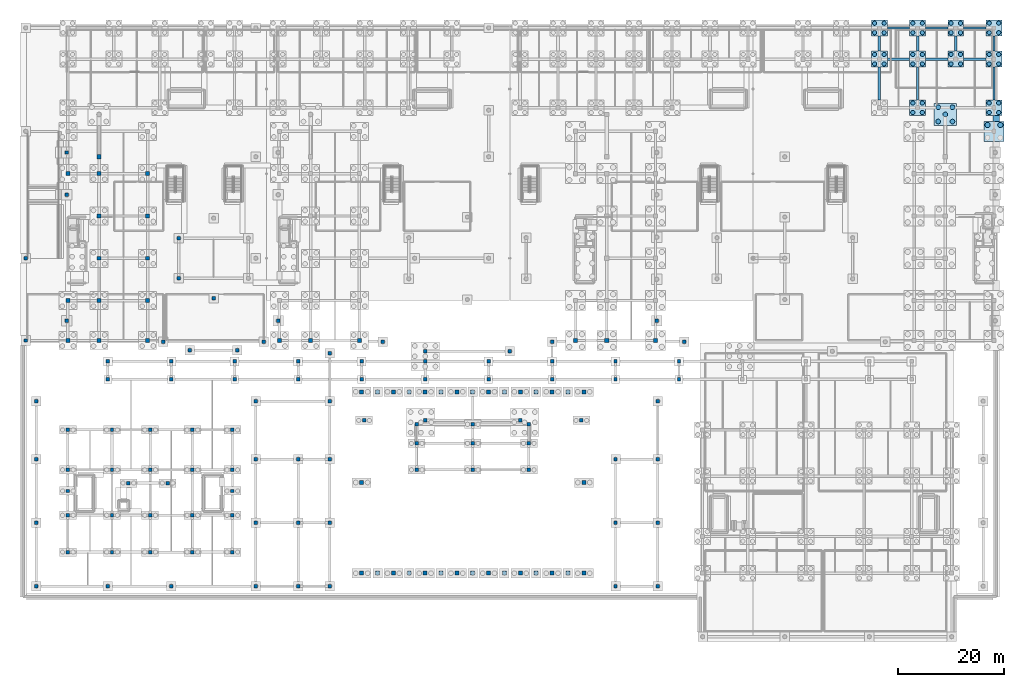
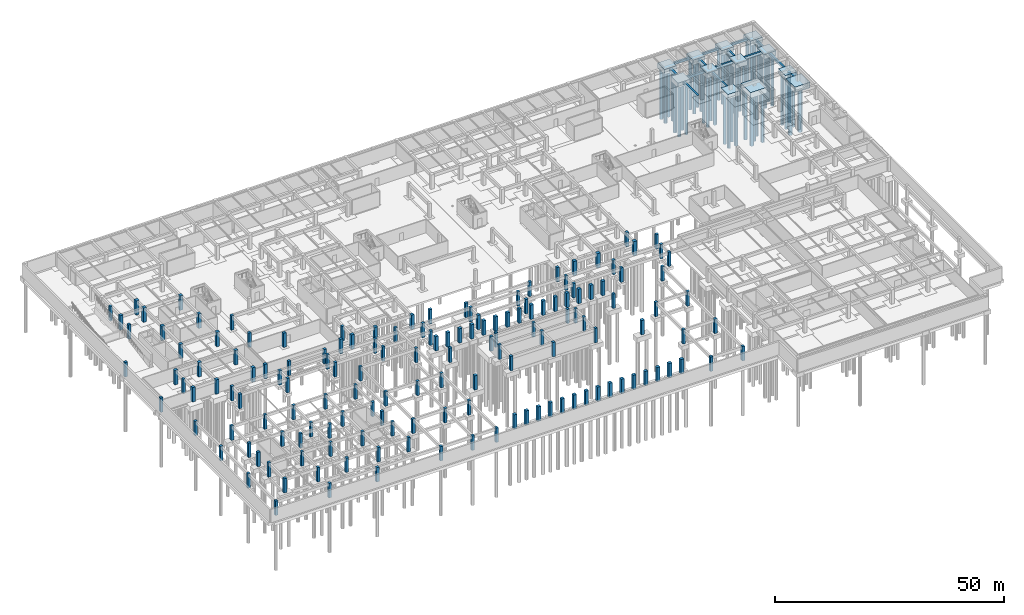
# One storey, part 12 of 35: 153 columns, 47 piles, 26 footings.
"""IFC4 building model written with IfcOpenShell, lengths in metres."""

from ifc_helpers import new_model, si_unit, direction, frame, origin, origin_2d, place, context, subcontext, project, spatial, rectangle, circle, extrude, material, material_profile, profile_set, type_object, element, save


model = new_model("IFC4")

# Units and contexts
model_context = context("Model", 3, precision=1e-05, world=origin(), true_north=direction((0.0, 1.0)))
body_context = subcontext(model_context, "Body", "Model", "MODEL_VIEW")
ifc_project = project(units=[si_unit("LENGTHUNIT", "METRE"), si_unit("AREAUNIT", "SQUARE_METRE"), si_unit("VOLUMEUNIT", "CUBIC_METRE"), si_unit("PLANEANGLEUNIT", "RADIAN"), si_unit("MASSUNIT", "GRAM", prefix="KILO")], contexts=[model_context])

# Site, building, storey
site_placement = place(None, origin())
site = spatial("IfcSite", under=ifc_project, at=site_placement, CompositionType="ELEMENT")
building_placement = place(site_placement, origin())
building = spatial("IfcBuilding", under=site, at=building_placement, Name="Keldmere Railside Commons", CompositionType="ELEMENT")
storey_placement = place(building_placement, frame((0.0, 0.0, -3.840087890625)))
storey = spatial("IfcBuildingStorey", under=building, at=storey_placement, Name="B1", CompositionType="ELEMENT", Elevation=-3.840087890625)

# Piles
ifc_material_1 = material(Name="Concrete H-30 (C30/37)", Category="concrete")
ifc_material_profile_1 = material_profile(ifc_material_1, circle(Radius=0.5, at=origin_2d()), Name="PILE-D1000")
ifc_profile_set_1 = profile_set([ifc_material_profile_1], Name="Concrete H-30 (C30/37)")
pile_type_1 = type_object("IfcPileType", Name="Bored Concrete Pile D1000", PredefinedType="BORED", material=ifc_profile_set_1)
for number, where, z_axis, x_axis, name in (
    (1, (184.75, 97.199951171875, -1.39990234375), (0.0, 0.0, -1.0), (1.0, 0.0, 0.0), "BP-1000 PILE-0845"),
    (2, (182.35009765625, 97.199951171875, -1.39990234375), (0.0, 0.0, -1.0), (1.0, 0.0, 0.0), "BP-1000 PILE-0846"),
):
    element("IfcPile", number, at=place(storey_placement, frame(where, z_axis=z_axis, x_axis=x_axis)), inside=storey, type_object=pile_type_1, Name=name, PredefinedType="BORED", context=body_context, shape_type="SweptSolid", body=[
        extrude(circle(Radius=0.5, at=origin_2d()), origin(), (0.0, 0.0, 1.0), 13.260009765625),
    ])
ifc_material_profile_2 = material_profile(ifc_material_1, circle(Radius=0.39990234375, at=origin_2d()), Name="PILE-D800")
ifc_profile_set_2 = profile_set([ifc_material_profile_2], Name="Concrete H-30 (C30/37)")
pile_type_2 = type_object("IfcPileType", Name="Bored Concrete Pile D800", PredefinedType="BORED", material=ifc_profile_set_2)
for number, where, z_axis, x_axis, name in (
    (3, (160.989990234375, 108.75, -1.199951171875), (0.0, 0.0, -1.0), (1.0, 0.0, 0.0), "BP-800 PILE-0712"),
    (4, (162.7900390625, 108.75, -1.199951171875), (0.0, 0.0, -1.0), (1.0, 0.0, 0.0), "BP-800 PILE-0713"),
    (5, (162.7900390625, 110.550048828125, -1.199951171875), (0.0, 0.0, -1.0), (1.0, 0.0, 0.0), "BP-800 PILE-0714"),
    (6, (160.989990234375, 110.550048828125, -1.199951171875), (0.0, 0.0, -1.0), (1.0, 0.0, 0.0), "BP-800 PILE-0715"),
    (7, (160.989990234375, 114.64990234375, -1.199951171875), (0.0, 0.0, -1.0), (1.0, 0.0, 0.0), "BP-800 PILE-0716"),
    (8, (162.7900390625, 114.64990234375, -1.199951171875), (0.0, 0.0, -1.0), (1.0, 0.0, 0.0), "BP-800 PILE-0717"),
    (9, (162.7900390625, 116.449951171875, -1.199951171875), (0.0, 0.0, -1.0), (1.0, 0.0, 0.0), "BP-800 PILE-0718"),
    (10, (160.989990234375, 116.449951171875, -1.199951171875), (0.0, 0.0, -1.0), (1.0, 0.0, 0.0), "BP-800 PILE-0719"),
    (11, (168.2099609375, 99.550048828125, -1.199951171875), (0.0, 0.0, -1.0), (1.0, 0.0, 0.0), "BP-800 PILE-0761"),
    (12, (170.010009765625, 99.550048828125, -1.199951171875), (0.0, 0.0, -1.0), (1.0, 0.0, 0.0), "BP-800 PILE-0762"),
    (13, (170.010009765625, 101.35009765625, -1.199951171875), (0.0, 0.0, -1.0), (1.0, 0.0, 0.0), "BP-800 PILE-0763"),
    (14, (168.2099609375, 101.35009765625, -1.199951171875), (0.0, 0.0, -1.0), (1.0, 0.0, 0.0), "BP-800 PILE-0764"),
    (15, (168.2099609375, 108.75, -1.199951171875), (0.0, 0.0, -1.0), (1.0, 0.0, 0.0), "BP-800 PILE-0765"),
    (16, (170.010009765625, 108.75, -1.199951171875), (0.0, 0.0, -1.0), (1.0, 0.0, 0.0), "BP-800 PILE-0766"),
    (17, (170.010009765625, 110.550048828125, -1.199951171875), (0.0, 0.0, -1.0), (1.0, 0.0, 0.0), "BP-800 PILE-0767"),
    (18, (168.2099609375, 110.550048828125, -1.199951171875), (0.0, 0.0, -1.0), (1.0, 0.0, 0.0), "BP-800 PILE-0768"),
    (19, (168.2099609375, 114.64990234375, -1.199951171875), (0.0, 0.0, -1.0), (1.0, 0.0, 0.0), "BP-800 PILE-0769"),
    (20, (170.010009765625, 114.64990234375, -1.199951171875), (0.0, 0.0, -1.0), (1.0, 0.0, 0.0), "BP-800 PILE-0770"),
    (21, (170.010009765625, 116.449951171875, -1.199951171875), (0.0, 0.0, -1.0), (1.0, 0.0, 0.0), "BP-800 PILE-0771"),
    (22, (168.2099609375, 116.449951171875, -1.199951171875), (0.0, 0.0, -1.0), (1.0, 0.0, 0.0), "BP-800 PILE-0772"),
    (23, (175.429931640625, 108.75, -1.199951171875), (0.0, 0.0, -1.0), (1.0, 0.0, 0.0), "BP-800 PILE-0815"),
    (24, (177.22998046875, 108.75, -1.199951171875), (0.0, 0.0, -1.0), (1.0, 0.0, 0.0), "BP-800 PILE-0816"),
    (25, (177.22998046875, 110.550048828125, -1.199951171875), (0.0, 0.0, -1.0), (1.0, 0.0, 0.0), "BP-800 PILE-0817"),
    (26, (175.429931640625, 110.550048828125, -1.199951171875), (0.0, 0.0, -1.0), (1.0, 0.0, 0.0), "BP-800 PILE-0818"),
    (27, (175.429931640625, 114.64990234375, -1.199951171875), (0.0, 0.0, -1.0), (1.0, 0.0, 0.0), "BP-800 PILE-0819"),
    (28, (177.22998046875, 114.64990234375, -1.199951171875), (0.0, 0.0, -1.0), (1.0, 0.0, 0.0), "BP-800 PILE-0820"),
    (29, (177.22998046875, 116.449951171875, -1.199951171875), (0.0, 0.0, -1.0), (1.0, 0.0, 0.0), "BP-800 PILE-0821"),
    (30, (175.429931640625, 116.449951171875, -1.199951171875), (0.0, 0.0, -1.0), (1.0, 0.0, 0.0), "BP-800 PILE-0822"),
    (31, (182.64990234375, 99.550048828125, -1.199951171875), (0.0, 0.0, -1.0), (1.0, 0.0, 0.0), "BP-800 PILE-0847"),
    (32, (184.449951171875, 99.550048828125, -1.199951171875), (0.0, 0.0, -1.0), (1.0, 0.0, 0.0), "BP-800 PILE-0848"),
    (33, (184.449951171875, 101.35009765625, -1.199951171875), (0.0, 0.0, -1.0), (1.0, 0.0, 0.0), "BP-800 PILE-0849"),
    (34, (182.64990234375, 101.35009765625, -1.199951171875), (0.0, 0.0, -1.0), (1.0, 0.0, 0.0), "BP-800 PILE-0850"),
    (35, (182.64990234375, 108.75, -1.199951171875), (0.0, 0.0, -1.0), (1.0, 0.0, 0.0), "BP-800 PILE-0851"),
    (36, (184.449951171875, 108.75, -1.199951171875), (0.0, 0.0, -1.0), (1.0, 0.0, 0.0), "BP-800 PILE-0852"),
    (37, (184.449951171875, 110.550048828125, -1.199951171875), (0.0, 0.0, -1.0), (1.0, 0.0, 0.0), "BP-800 PILE-0853"),
    (38, (182.64990234375, 110.550048828125, -1.199951171875), (0.0, 0.0, -1.0), (1.0, 0.0, 0.0), "BP-800 PILE-0854"),
    (39, (182.64990234375, 114.64990234375, -1.199951171875), (0.0, 0.0, -1.0), (1.0, 0.0, 0.0), "BP-800 PILE-0855"),
    (40, (184.449951171875, 114.64990234375, -1.199951171875), (0.0, 0.0, -1.0), (1.0, 0.0, 0.0), "BP-800 PILE-0856"),
    (41, (184.449951171875, 116.449951171875, -1.199951171875), (0.0, 0.0, -1.0), (1.0, 0.0, 0.0), "BP-800 PILE-0857"),
    (42, (182.64990234375, 116.449951171875, -1.199951171875), (0.0, 0.0, -1.0), (1.0, 0.0, 0.0), "BP-800 PILE-0858"),
):
    element("IfcPile", number, at=place(storey_placement, frame(where, z_axis=z_axis, x_axis=x_axis)), inside=storey, type_object=pile_type_2, Name=name, PredefinedType="BORED", context=body_context, shape_type="SweptSolid", body=[
        extrude(circle(Radius=0.39990234375, at=origin_2d()), origin(), (0.0, 0.0, 1.0), 13.4599609375),
    ])
ifc_material_profile_3 = material_profile(ifc_material_1, circle(Radius=0.449951171875, at=origin_2d()), Name="PILE-D900")
ifc_profile_set_3 = profile_set([ifc_material_profile_3], Name="Concrete H-30 (C30/37)")
pile_type_3 = type_object("IfcPileType", Name="Bored Concrete Pile D900", PredefinedType="BORED", material=ifc_profile_set_3)
for number, where, z_axis, x_axis, name in (
    (43, (173.0, 97.85009765625, -1.39990234375), (0.0, 0.0, -1.0), (1.0, 0.0, 0.0), "BP-900 PILE-0793"),
    (44, (175.699951171875, 97.85009765625, -1.39990234375), (0.0, 0.0, -1.0), (1.0, 0.0, 0.0), "BP-900 PILE-0794"),
    (45, (175.699951171875, 100.550048828125, -1.39990234375), (0.0, 0.0, -1.0), (1.0, 0.0, 0.0), "BP-900 PILE-0795"),
    (46, (173.0, 100.550048828125, -1.39990234375), (0.0, 0.0, -1.0), (1.0, 0.0, 0.0), "BP-900 PILE-0796"),
    (47, (174.35009765625, 99.199951171875, -1.39990234375), (0.0, 0.0, -1.0), (1.0, 0.0, 0.0), "BP-900 PILE-0797"),
):
    element("IfcPile", number, at=place(storey_placement, frame(where, z_axis=z_axis, x_axis=x_axis)), inside=storey, type_object=pile_type_3, Name=name, PredefinedType="BORED", context=body_context, shape_type="SweptSolid", body=[
        extrude(circle(Radius=0.449951171875, at=origin_2d()), origin(), (0.0, 0.0, 1.0), 13.260009765625),
    ])

# Footings
ifc_material_2 = material(Name="Concrete H-40 (C40/50)", Category="concrete")
footing_type_1 = type_object("IfcFootingType", Name="Five-Pile Transfer Cap 4200x4200x1500", PredefinedType="PILE_CAP", material=ifc_material_2)
footing_1_placement = place(storey_placement, frame((174.35009765625, 99.199951171875, -1.5), z_axis=(0.0, 0.0, 1.0), x_axis=(1.0, 0.0, 0.0)))
element("IfcFooting", 48, at=footing_1_placement, inside=storey, type_object=footing_type_1, Name="PC-07 FTG-314", PredefinedType="PILE_CAP", context=body_context, shape_type="SweptSolid", body=[
    extrude(rectangle(XDim=4.199951171875, YDim=4.199951171875, at=origin_2d()), origin(), (0.0, 0.0, 1.0), 1.5),
])
footing_type_2 = type_object("IfcFootingType", Name="Four-Pile Cap 3000x3000x1300", PredefinedType="PILE_CAP", material=ifc_material_2)
for number, where, z_axis, x_axis, name in (
    (49, (161.889892578125, 109.64990234375, -1.2998046875), (0.0, 0.0, 1.0), (1.0, 0.0, 0.0), "PC-04 FTG-291"),
    (50, (161.889892578125, 115.550048828125, -1.2998046875), (0.0, 0.0, 1.0), (1.0, 0.0, 0.0), "PC-04 FTG-292"),
    (51, (169.110107421875, 100.449951171875, -1.2998046875), (0.0, 0.0, 1.0), (1.0, 0.0, 0.0), "PC-04 FTG-306"),
    (52, (169.110107421875, 109.64990234375, -1.2998046875), (0.0, 0.0, 1.0), (1.0, 0.0, 0.0), "PC-04 FTG-307"),
    (53, (169.110107421875, 115.550048828125, -1.2998046875), (0.0, 0.0, 1.0), (1.0, 0.0, 0.0), "PC-04 FTG-308"),
    (54, (176.330078125, 109.64990234375, -1.2998046875), (0.0, 0.0, 1.0), (1.0, 0.0, 0.0), "PC-04 FTG-320"),
    (55, (176.330078125, 115.550048828125, -1.2998046875), (0.0, 0.0, 1.0), (1.0, 0.0, 0.0), "PC-04 FTG-321"),
    (56, (183.550048828125, 100.449951171875, -1.2998046875), (0.0, 0.0, 1.0), (1.0, 0.0, 0.0), "PC-04 FTG-331"),
    (57, (183.550048828125, 109.64990234375, -1.2998046875), (0.0, 0.0, 1.0), (1.0, 0.0, 0.0), "PC-04 FTG-332"),
    (58, (183.550048828125, 115.550048828125, -1.2998046875), (0.0, 0.0, 1.0), (1.0, 0.0, 0.0), "PC-04 FTG-333"),
):
    element("IfcFooting", number, at=place(storey_placement, frame(where, z_axis=z_axis, x_axis=x_axis)), inside=storey, type_object=footing_type_2, Name=name, PredefinedType="PILE_CAP", context=body_context, shape_type="SweptSolid", body=[
        extrude(rectangle(XDim=3.0, YDim=3.0, at=origin_2d()), origin(), (0.0, 0.0, 1.0), 1.300048828125),
    ])
footing_type_3 = type_object("IfcFootingType", Name="Four-Pile D1000 Cap 3800x3800x1500", PredefinedType="PILE_CAP", material=ifc_material_2)
footing_2_placement = place(storey_placement, frame((183.550048828125, 96.0, -1.5), z_axis=(0.0, 0.0, 1.0), x_axis=(1.0, 0.0, 0.0)))
element("IfcFooting", 59, at=footing_2_placement, inside=storey, type_object=footing_type_3, Name="PC-06 FTG-330", PredefinedType="PILE_CAP", context=body_context, shape_type="SweptSolid", body=[
    extrude(rectangle(XDim=3.800048828125, YDim=3.800048828125, at=origin_2d()), origin(), (0.0, 0.0, 1.0), 1.5),
])
footing_type_4 = type_object("IfcFootingType", Name="Perimeter Ground Tie Beam 400x650", PredefinedType="FOOTING_BEAM", material=ifc_material_2)
footing_3_placement = place(storey_placement, frame((165.5, 115.550048828125, -0.64990234375), z_axis=(0.0, 0.0, 1.0), x_axis=(1.0, 0.0, 0.0)))
element("IfcFooting", 60, at=footing_3_placement, inside=storey, type_object=footing_type_4, Name="GB-03 GB-251", PredefinedType="FOOTING_BEAM", context=body_context, shape_type="SweptSolid", body=[
    extrude(rectangle(XDim=4.219970703125, YDim=0.39990234375, at=origin_2d()), origin(), (0.0, 0.0, 1.0), 0.64990234375),
])
footing_4_placement = place(storey_placement, frame((169.110107421875, 105.050048828125, -0.64990234375), z_axis=(0.0, 0.0, 1.0), x_axis=(0.0, 1.0, 0.0)))
element("IfcFooting", 61, at=footing_4_placement, inside=storey, type_object=footing_type_4, Name="GB-03 GB-272", PredefinedType="FOOTING_BEAM", context=body_context, shape_type="SweptSolid", body=[
    extrude(rectangle(XDim=6.199951171875, YDim=0.39990234375, at=origin_2d()), origin(), (0.0, 0.0, 1.0), 0.64990234375),
])
for number, where, z_axis, x_axis, name in (
    (62, (172.719970703125, 115.550048828125, -0.64990234375), (0.0, 0.0, 1.0), (1.0, 0.0, 0.0), "GB-03 GB-275"),
    (63, (179.93994140625, 115.550048828125, -0.64990234375), (0.0, 0.0, 1.0), (1.0, 0.0, 0.0), "GB-03 GB-290"),
):
    element("IfcFooting", number, at=place(storey_placement, frame(where, z_axis=z_axis, x_axis=x_axis)), inside=storey, type_object=footing_type_4, Name=name, PredefinedType="FOOTING_BEAM", context=body_context, shape_type="SweptSolid", body=[
        extrude(rectangle(XDim=4.219970703125, YDim=0.39990234375, at=origin_2d()), origin(), (0.0, 0.0, 1.0), 0.64990234375),
    ])
footing_5_placement = place(storey_placement, frame((183.550048828125, 112.60009765625, -0.64990234375), z_axis=(0.0, 0.0, 1.0), x_axis=(0.0, 1.0, 0.0)))
element("IfcFooting", 64, at=footing_5_placement, inside=storey, type_object=footing_type_4, Name="GB-03 GB-293", PredefinedType="FOOTING_BEAM", context=body_context, shape_type="SweptSolid", body=[
    extrude(rectangle(XDim=2.89990234375, YDim=0.39990234375, at=origin_2d()), origin(), (0.0, 0.0, 1.0), 0.64990234375),
])
footing_type_5 = type_object("IfcFootingType", Name="Primary Ground Tie Beam 500x800", PredefinedType="FOOTING_BEAM", material=ifc_material_2)
for number, where, z_axis, x_axis, name in (
    (65, (161.889892578125, 112.60009765625, -0.7998046875), (0.0, 0.0, 1.0), (0.0, 1.0, 0.0), "GB-01 GB-249"),
    (66, (169.110107421875, 112.60009765625, -0.7998046875), (0.0, 0.0, 1.0), (0.0, 1.0, 0.0), "GB-01 GB-273"),
    (67, (176.330078125, 112.60009765625, -0.7998046875), (0.0, 0.0, 1.0), (0.0, 1.0, 0.0), "GB-01 GB-288"),
):
    element("IfcFooting", number, at=place(storey_placement, frame(where, z_axis=z_axis, x_axis=x_axis)), inside=storey, type_object=footing_type_5, Name=name, PredefinedType="FOOTING_BEAM", context=body_context, shape_type="SweptSolid", body=[
        extrude(rectangle(XDim=2.89990234375, YDim=0.5, at=origin_2d()), origin(), (0.0, 0.0, 1.0), 0.800048828125),
    ])
footing_type_6 = type_object("IfcFootingType", Name="Retaining Wall Strip Footing 1200x750", PredefinedType="STRIP_FOOTING", material=ifc_material_2)
footing_6_placement = place(storey_placement, frame((184.0, 98.425048828125, -0.75), z_axis=(0.0, 0.0, 1.0), x_axis=(0.0, 1.0, 0.0)))
element("IfcFooting", 68, at=footing_6_placement, inside=storey, type_object=footing_type_6, Name="SF-01 WSF-014", PredefinedType="STRIP_FOOTING", context=body_context, shape_type="SweptSolid", body=[
    extrude(rectangle(XDim=1.050048828125, YDim=1.199951171875, at=origin_2d()), origin(), (0.0, 0.0, 1.0), 0.75),
])
footing_type_7 = type_object("IfcFootingType", Name="Secondary Ground Tie Beam 450x700", PredefinedType="FOOTING_BEAM", material=ifc_material_2)
footing_7_placement = place(storey_placement, frame((161.889892578125, 105.050048828125, -0.69970703125), z_axis=(0.0, 0.0, 1.0), x_axis=(0.0, 1.0, 0.0)))
element("IfcFooting", 69, at=footing_7_placement, inside=storey, type_object=footing_type_7, Name="GB-02 GB-247", PredefinedType="FOOTING_BEAM", context=body_context, shape_type="SweptSolid", body=[
    extrude(rectangle(XDim=6.199951171875, YDim=0.449951171875, at=origin_2d()), origin(), (0.0, 0.0, 1.0), 0.699951171875),
])
for number, where, z_axis, x_axis, name in (
    (70, (165.5, 109.64990234375, -0.69970703125), (0.0, 0.0, 1.0), (1.0, 0.0, 0.0), "GB-02 GB-250"),
    (71, (172.719970703125, 109.64990234375, -0.69970703125), (0.0, 0.0, 1.0), (1.0, 0.0, 0.0), "GB-02 GB-274"),
    (72, (179.93994140625, 109.64990234375, -0.69970703125), (0.0, 0.0, 1.0), (1.0, 0.0, 0.0), "GB-02 GB-289"),
):
    element("IfcFooting", number, at=place(storey_placement, frame(where, z_axis=z_axis, x_axis=x_axis)), inside=storey, type_object=footing_type_7, Name=name, PredefinedType="FOOTING_BEAM", context=body_context, shape_type="SweptSolid", body=[
        extrude(rectangle(XDim=4.219970703125, YDim=0.449951171875, at=origin_2d()), origin(), (0.0, 0.0, 1.0), 0.699951171875),
    ])
footing_8_placement = place(storey_placement, frame((183.550048828125, 105.050048828125, -0.69970703125), z_axis=(0.0, 0.0, 1.0), x_axis=(0.0, 1.0, 0.0)))
element("IfcFooting", 73, at=footing_8_placement, inside=storey, type_object=footing_type_7, Name="GB-02 GB-292", PredefinedType="FOOTING_BEAM", context=body_context, shape_type="SweptSolid", body=[
    extrude(rectangle(XDim=6.199951171875, YDim=0.449951171875, at=origin_2d()), origin(), (0.0, 0.0, 1.0), 0.699951171875),
])

# Columns
ifc_material_profile_4 = material_profile(ifc_material_2, rectangle(XDim=0.75, YDim=0.75, at=origin_2d()), Name="RC-750x750")
ifc_profile_set_4 = profile_set([ifc_material_profile_4], Name="Concrete H-40 (C40/50)")
column_type_1 = type_object("IfcColumnType", Name="Basement RC Column 750x750", PredefinedType="COLUMN", material=ifc_profile_set_4)
for number, where, z_axis, x_axis, name in (
    (74, (8.449951171875, 56.449951171875, 0.0), (0.0, 0.0, 1.0), (1.0, 0.0, 0.0), "C-750 COL-B1-0039"),
    (75, (8.449951171875, 64.0, 0.0), (0.0, 0.0, 1.0), (1.0, 0.0, 0.0), "C-750 COL-B1-0045"),
    (76, (8.449951171875, 88.0, 0.0), (0.0, 0.0, 1.0), (1.0, 0.0, 0.0), "C-750 COL-B1-0053"),
    (77, (14.35009765625, 56.449951171875, 0.0), (0.0, 0.0, 1.0), (1.0, 0.0, 0.0), "C-750 COL-B1-0097"),
    (78, (14.35009765625, 64.0, 0.0), (0.0, 0.0, 1.0), (1.0, 0.0, 0.0), "C-750 COL-B1-0103"),
    (79, (14.35009765625, 72.0, 0.0), (0.0, 0.0, 1.0), (1.0, 0.0, 0.0), "C-750 COL-B1-0111"),
    (80, (14.35009765625, 80.0, 0.0), (0.0, 0.0, 1.0), (1.0, 0.0, 0.0), "C-750 COL-B1-0120"),
    (81, (14.35009765625, 88.0, 0.0), (0.0, 0.0, 1.0), (1.0, 0.0, 0.0), "C-750 COL-B1-0129"),
    (82, (23.550048828125, 56.449951171875, 0.0), (0.0, 0.0, 1.0), (1.0, 0.0, 0.0), "C-750 COL-B1-0184"),
    (83, (23.550048828125, 64.0, 0.0), (0.0, 0.0, 1.0), (1.0, 0.0, 0.0), "C-750 COL-B1-0190"),
    (84, (23.550048828125, 72.0, 0.0), (0.0, 0.0, 1.0), (1.0, 0.0, 0.0), "C-750 COL-B1-0198"),
    (85, (23.550048828125, 80.0, 0.0), (0.0, 0.0, 1.0), (1.0, 0.0, 0.0), "C-750 COL-B1-0207"),
    (86, (23.550048828125, 88.0, 0.0), (0.0, 0.0, 1.0), (1.0, 0.0, 0.0), "C-750 COL-B1-0216"),
    (87, (48.449951171875, 56.449951171875, 0.0), (0.0, 0.0, 1.0), (1.0, 0.0, 0.0), "C-750 COL-B1-0431"),
    (88, (54.35009765625, 56.449951171875, 0.0), (0.0, 0.0, 1.0), (1.0, 0.0, 0.0), "C-750 COL-B1-0477"),
    (89, (63.550048828125, 56.449951171875, 0.0), (0.0, 0.0, 1.0), (1.0, 0.0, 0.0), "C-750 COL-B1-0563"),
    (90, (64.0, 12.449951171875, 0.0), (0.0, 0.0, 1.0), (1.0, 0.0, 0.0), "C-750 COL-B1-0624"),
    (91, (64.0, 29.60009765625, 0.0), (0.0, 0.0, 1.0), (1.0, 0.0, 0.0), "C-750 COL-B1-0627"),
    (92, (64.0, 46.75, 0.0), (0.0, 0.0, 1.0), (1.0, 0.0, 0.0), "C-750 COL-B1-0630"),
    (93, (67.0, 12.449951171875, 0.0), (0.0, 0.0, 1.0), (1.0, 0.0, 0.0), "C-750 COL-B1-0670"),
    (94, (67.0, 46.75, 0.0), (0.0, 0.0, 1.0), (1.0, 0.0, 0.0), "C-750 COL-B1-0673"),
    (95, (70.0, 12.449951171875, 0.0), (0.0, 0.0, 1.0), (1.0, 0.0, 0.0), "C-750 COL-B1-0678"),
    (96, (70.0, 46.75, 0.0), (0.0, 0.0, 1.0), (1.0, 0.0, 0.0), "C-750 COL-B1-0681"),
    (97, (73.0, 12.449951171875, 0.0), (0.0, 0.0, 1.0), (1.0, 0.0, 0.0), "C-750 COL-B1-0719"),
    (98, (73.0, 46.75, 0.0), (0.0, 0.0, 1.0), (1.0, 0.0, 0.0), "C-750 COL-B1-0722"),
    (99, (76.0, 12.449951171875, 0.0), (0.0, 0.0, 1.0), (1.0, 0.0, 0.0), "C-750 COL-B1-0729"),
    (100, (76.0, 46.75, 0.0), (0.0, 0.0, 1.0), (1.0, 0.0, 0.0), "C-750 COL-B1-0734"),
    (101, (79.0, 12.449951171875, 0.0), (0.0, 0.0, 1.0), (1.0, 0.0, 0.0), "C-750 COL-B1-0743"),
    (102, (79.0, 46.75, 0.0), (0.0, 0.0, 1.0), (1.0, 0.0, 0.0), "C-750 COL-B1-0746"),
    (103, (82.0, 12.449951171875, 0.0), (0.0, 0.0, 1.0), (1.0, 0.0, 0.0), "C-750 COL-B1-0768"),
    (104, (82.0, 46.75, 0.0), (0.0, 0.0, 1.0), (1.0, 0.0, 0.0), "C-750 COL-B1-0771"),
    (105, (85.0, 12.449951171875, 0.0), (0.0, 0.0, 1.0), (1.0, 0.0, 0.0), "C-750 COL-B1-0778"),
    (106, (85.0, 46.75, 0.0), (0.0, 0.0, 1.0), (1.0, 0.0, 0.0), "C-750 COL-B1-0784"),
    (107, (88.0, 12.449951171875, 0.0), (0.0, 0.0, 1.0), (1.0, 0.0, 0.0), "C-750 COL-B1-0787"),
    (108, (88.0, 46.75, 0.0), (0.0, 0.0, 1.0), (1.0, 0.0, 0.0), "C-750 COL-B1-0790"),
    (109, (91.0, 12.449951171875, 0.0), (0.0, 0.0, 1.0), (1.0, 0.0, 0.0), "C-750 COL-B1-0801"),
    (110, (91.0, 46.75, 0.0), (0.0, 0.0, 1.0), (1.0, 0.0, 0.0), "C-750 COL-B1-0804"),
    (111, (94.0, 12.449951171875, 0.0), (0.0, 0.0, 1.0), (1.0, 0.0, 0.0), "C-750 COL-B1-0845"),
    (112, (94.0, 46.75, 0.0), (0.0, 0.0, 1.0), (1.0, 0.0, 0.0), "C-750 COL-B1-0850"),
    (113, (97.0, 12.449951171875, 0.0), (0.0, 0.0, 1.0), (1.0, 0.0, 0.0), "C-750 COL-B1-0860"),
    (114, (97.0, 46.75, 0.0), (0.0, 0.0, 1.0), (1.0, 0.0, 0.0), "C-750 COL-B1-0863"),
    (115, (100.0, 12.449951171875, 0.0), (0.0, 0.0, 1.0), (1.0, 0.0, 0.0), "C-750 COL-B1-0866"),
    (116, (100.0, 46.75, 0.0), (0.0, 0.0, 1.0), (1.0, 0.0, 0.0), "C-750 COL-B1-0869"),
    (117, (103.0, 12.449951171875, 0.0), (0.0, 0.0, 1.0), (1.0, 0.0, 0.0), "C-750 COL-B1-0914"),
    (118, (103.0, 46.75, 0.0), (0.0, 0.0, 1.0), (1.0, 0.0, 0.0), "C-750 COL-B1-0917"),
    (119, (106.0, 12.449951171875, 0.0), (0.0, 0.0, 1.0), (1.0, 0.0, 0.0), "C-750 COL-B1-0969"),
    (120, (106.0, 29.60009765625, 0.0), (0.0, 0.0, 1.0), (1.0, 0.0, 0.0), "C-750 COL-B1-0972"),
    (121, (106.0, 46.75, 0.0), (0.0, 0.0, 1.0), (1.0, 0.0, 0.0), "C-750 COL-B1-0975"),
):
    element("IfcColumn", number, at=place(storey_placement, frame(where, z_axis=z_axis, x_axis=x_axis)), inside=storey, type_object=column_type_1, Name=name, PredefinedType="COLUMN", context=body_context, shape_type="SweptSolid", body=[
        extrude(rectangle(XDim=0.75, YDim=0.75, at=origin_2d()), origin(), (0.0, 0.0, 1.0), 3.840087890625),
    ])
ifc_material_profile_5 = material_profile(ifc_material_2, rectangle(XDim=0.800048828125, YDim=0.800048828125, at=origin_2d()), Name="RC-800x800")
ifc_profile_set_5 = profile_set([ifc_material_profile_5], Name="Concrete H-40 (C40/50)")
column_type_2 = type_object("IfcColumnType", Name="Lower Transfer RC Column 800x800", PredefinedType="COLUMN", material=ifc_profile_set_5)
for number, where, z_axis, x_axis, name in (
    (122, (14.35009765625, 91.199951171875, 0.0), (0.0, 0.0, 1.0), (1.0, 0.0, 0.0), "C-800 COL-B1-0138"),
    (123, (104.449951171875, 56.449951171875, 0.0), (0.0, 0.0, 1.0), (1.0, 0.0, 0.0), "C-800 COL-B1-0920"),
    (124, (110.35009765625, 56.449951171875, 0.0), (0.0, 0.0, 1.0), (1.0, 0.0, 0.0), "C-800 COL-B1-1014"),
    (125, (119.550048828125, 56.449951171875, 0.0), (0.0, 0.0, 1.0), (1.0, 0.0, 0.0), "C-800 COL-B1-1131"),
):
    element("IfcColumn", number, at=place(storey_placement, frame(where, z_axis=z_axis, x_axis=x_axis)), inside=storey, type_object=column_type_2, Name=name, PredefinedType="COLUMN", context=body_context, shape_type="SweptSolid", body=[
        extrude(rectangle(XDim=0.800048828125, YDim=0.800048828125, at=origin_2d()), origin(), (0.0, 0.0, 1.0), 3.840087890625),
    ])
ifc_material_profile_6 = material_profile(ifc_material_2, rectangle(XDim=0.64990234375, YDim=0.64990234375, at=origin_2d()), Name="RC-650x650")
ifc_profile_set_6 = profile_set([ifc_material_profile_6], Name="Concrete H-40 (C40/50)")
column_type_3 = type_object("IfcColumnType", Name="Podium RC Column 650x650", PredefinedType="COLUMN", material=ifc_profile_set_6)
for number, where, z_axis, x_axis, name in (
    (126, (0.449951171875, 56.449951171875, 0.0), (0.0, 0.0, 1.0), (1.0, 0.0, 0.0), "C-650 COL-B1-0001"),
    (127, (0.449951171875, 72.0, 0.0), (0.0, 0.0, 1.0), (1.0, 0.0, 0.0), "C-650 COL-B1-0002"),
    (128, (2.5, 10.0, 0.0), (0.0, 0.0, 1.0), (1.0, 0.0, 0.0), "C-650 COL-B1-0005"),
    (129, (2.5, 22.0, 0.0), (0.0, 0.0, 1.0), (1.0, 0.0, 0.0), "C-650 COL-B1-0006"),
    (130, (2.5, 34.0, 0.0), (0.0, 0.0, 1.0), (1.0, 0.0, 0.0), "C-650 COL-B1-0007"),
    (131, (2.5, 45.0, 0.0), (0.0, 0.0, 1.0), (1.0, 0.0, 0.0), "C-650 COL-B1-0008"),
    (132, (8.219970703125, 60.199951171875, 0.0), (0.0, 0.0, 1.0), (1.0, 0.0, 0.0), "C-650 COL-B1-0009"),
    (133, (8.219970703125, 84.0, 0.0), (0.0, 0.0, 1.0), (1.0, 0.0, 0.0), "C-650 COL-B1-0014"),
    (134, (8.219970703125, 92.0, 0.0), (0.0, 0.0, 1.0), (1.0, 0.0, 0.0), "C-650 COL-B1-0019"),
    (135, (8.449951171875, 16.449951171875, 0.0), (0.0, 0.0, 1.0), (1.0, 0.0, 0.0), "C-650 COL-B1-0024"),
    (136, (8.449951171875, 23.39990234375, 0.0), (0.0, 0.0, 1.0), (1.0, 0.0, 0.0), "C-650 COL-B1-0027"),
    (137, (8.449951171875, 28.0, 0.0), (0.0, 0.0, 1.0), (1.0, 0.0, 0.0), "C-650 COL-B1-0030"),
    (138, (8.449951171875, 32.0, 0.0), (0.0, 0.0, 1.0), (1.0, 0.0, 0.0), "C-650 COL-B1-0033"),
    (139, (8.449951171875, 39.550048828125, 0.0), (0.0, 0.0, 1.0), (1.0, 0.0, 0.0), "C-650 COL-B1-0036"),
    (140, (16.0, 10.0, 0.0), (0.0, 0.0, 1.0), (1.0, 0.0, 0.0), "C-650 COL-B1-0148"),
    (141, (16.0, 49.10009765625, 0.0), (0.0, 0.0, 1.0), (1.0, 0.0, 0.0), "C-650 COL-B1-0149"),
    (142, (16.0, 52.5, 0.0), (0.0, 0.0, 1.0), (1.0, 0.0, 0.0), "C-650 COL-B1-0151"),
    (143, (16.800048828125, 16.449951171875, 0.0), (0.0, 0.0, 1.0), (1.0, 0.0, 0.0), "C-650 COL-B1-0153"),
    (144, (16.800048828125, 23.39990234375, 0.0), (0.0, 0.0, 1.0), (1.0, 0.0, 0.0), "C-650 COL-B1-0156"),
    (145, (16.800048828125, 32.0, 0.0), (0.0, 0.0, 1.0), (1.0, 0.0, 0.0), "C-650 COL-B1-0159"),
    (146, (16.800048828125, 39.550048828125, 0.0), (0.0, 0.0, 1.0), (1.0, 0.0, 0.0), "C-650 COL-B1-0162"),
    (147, (19.89990234375, 29.5, 0.0), (0.0, 0.0, 1.0), (1.0, 0.0, 0.0), "C-650 COL-B1-0181"),
    (148, (24.0, 16.449951171875, 0.0), (0.0, 0.0, 1.0), (1.0, 0.0, 0.0), "C-650 COL-B1-0234"),
    (149, (24.0, 23.39990234375, 0.0), (0.0, 0.0, 1.0), (1.0, 0.0, 0.0), "C-650 COL-B1-0237"),
    (150, (24.0, 32.0, 0.0), (0.0, 0.0, 1.0), (1.0, 0.0, 0.0), "C-650 COL-B1-0240"),
    (151, (24.0, 39.550048828125, 0.0), (0.0, 0.0, 1.0), (1.0, 0.0, 0.0), "C-650 COL-B1-0243"),
    (152, (26.5, 56.199951171875, 0.0), (0.0, 0.0, 1.0), (1.0, 0.0, 0.0), "C-650 COL-B1-0272"),
    (153, (27.300048828125, 29.5, 0.0), (0.0, 0.0, 1.0), (1.0, 0.0, 0.0), "C-650 COL-B1-0274"),
    (154, (28.0, 10.0, 0.0), (0.0, 0.0, 1.0), (1.0, 0.0, 0.0), "C-650 COL-B1-0277"),
    (155, (28.0, 49.10009765625, 0.0), (0.0, 0.0, 1.0), (1.0, 0.0, 0.0), "C-650 COL-B1-0278"),
    (156, (28.0, 52.5, 0.0), (0.0, 0.0, 1.0), (1.0, 0.0, 0.0), "C-650 COL-B1-0280"),
    (157, (29.41796875, 68.199951171875, 0.0), (0.0, 0.0, 1.0), (1.0, 0.0, 0.0), "C-650 COL-B1-0282"),
    (158, (29.41796875, 75.800048828125, 0.0), (0.0, 0.0, 1.0), (1.0, 0.0, 0.0), "C-650 COL-B1-0284"),
    (159, (31.5, 54.60009765625, 0.0), (0.0, 0.0, 1.0), (1.0, 0.0, 0.0), "C-650 COL-B1-0286"),
    (160, (32.0, 16.449951171875, 0.0), (0.0, 0.0, 1.0), (1.0, 0.0, 0.0), "C-650 COL-B1-0288"),
    (161, (32.0, 23.39990234375, 0.0), (0.0, 0.0, 1.0), (1.0, 0.0, 0.0), "C-650 COL-B1-0291"),
    (162, (32.0, 32.0, 0.0), (0.0, 0.0, 1.0), (1.0, 0.0, 0.0), "C-650 COL-B1-0294"),
    (163, (32.0, 39.550048828125, 0.0), (0.0, 0.0, 1.0), (1.0, 0.0, 0.0), "C-650 COL-B1-0297"),
    (164, (36.0, 64.39990234375, 0.0), (0.0, 0.0, 1.0), (1.0, 0.0, 0.0), "C-650 COL-B1-0316"),
    (165, (39.550048828125, 16.449951171875, 0.0), (0.0, 0.0, 1.0), (1.0, 0.0, 0.0), "C-650 COL-B1-0320"),
    (166, (39.550048828125, 23.39990234375, 0.0), (0.0, 0.0, 1.0), (1.0, 0.0, 0.0), "C-650 COL-B1-0323"),
    (167, (39.550048828125, 28.0, 0.0), (0.0, 0.0, 1.0), (1.0, 0.0, 0.0), "C-650 COL-B1-0326"),
    (168, (39.550048828125, 32.0, 0.0), (0.0, 0.0, 1.0), (1.0, 0.0, 0.0), "C-650 COL-B1-0329"),
    (169, (39.550048828125, 39.550048828125, 0.0), (0.0, 0.0, 1.0), (1.0, 0.0, 0.0), "C-650 COL-B1-0332"),
    (170, (40.0, 49.10009765625, 0.0), (0.0, 0.0, 1.0), (1.0, 0.0, 0.0), "C-650 COL-B1-0366"),
    (171, (40.0, 52.5, 0.0), (0.0, 0.0, 1.0), (1.0, 0.0, 0.0), "C-650 COL-B1-0368"),
    (172, (40.5, 54.60009765625, 0.0), (0.0, 0.0, 1.0), (1.0, 0.0, 0.0), "C-650 COL-B1-0370"),
    (173, (44.0, 10.0, 0.0), (0.0, 0.0, 1.0), (1.0, 0.0, 0.0), "C-650 COL-B1-0376"),
    (174, (44.0, 22.0, 0.0), (0.0, 0.0, 1.0), (1.0, 0.0, 0.0), "C-650 COL-B1-0377"),
    (175, (44.0, 34.0, 0.0), (0.0, 0.0, 1.0), (1.0, 0.0, 0.0), "C-650 COL-B1-0378"),
    (176, (44.0, 45.0, 0.0), (0.0, 0.0, 1.0), (1.0, 0.0, 0.0), "C-650 COL-B1-0379"),
    (177, (45.5, 56.199951171875, 0.0), (0.0, 0.0, 1.0), (1.0, 0.0, 0.0), "C-650 COL-B1-0383"),
    (178, (48.219970703125, 60.199951171875, 0.0), (0.0, 0.0, 1.0), (1.0, 0.0, 0.0), "C-650 COL-B1-0416"),
    (179, (52.0, 10.0, 0.0), (0.0, 0.0, 1.0), (1.0, 0.0, 0.0), "C-650 COL-B1-0470"),
    (180, (52.0, 22.0, 0.0), (0.0, 0.0, 1.0), (1.0, 0.0, 0.0), "C-650 COL-B1-0471"),
    (181, (52.0, 34.0, 0.0), (0.0, 0.0, 1.0), (1.0, 0.0, 0.0), "C-650 COL-B1-0472"),
    (182, (52.0, 49.10009765625, 0.0), (0.0, 0.0, 1.0), (1.0, 0.0, 0.0), "C-650 COL-B1-0473"),
    (183, (52.0, 52.5, 0.0), (0.0, 0.0, 1.0), (1.0, 0.0, 0.0), "C-650 COL-B1-0475"),
    (184, (58.0, 10.0, 0.0), (0.0, 0.0, 1.0), (1.0, 0.0, 0.0), "C-650 COL-B1-0558"),
    (185, (58.0, 22.0, 0.0), (0.0, 0.0, 1.0), (1.0, 0.0, 0.0), "C-650 COL-B1-0559"),
    (186, (58.0, 34.0, 0.0), (0.0, 0.0, 1.0), (1.0, 0.0, 0.0), "C-650 COL-B1-0560"),
    (187, (58.0, 45.0, 0.0), (0.0, 0.0, 1.0), (1.0, 0.0, 0.0), "C-650 COL-B1-0561"),
    (188, (58.0, 54.0, 0.0), (0.0, 0.0, 1.0), (1.0, 0.0, 0.0), "C-650 COL-B1-0562"),
    (189, (64.0, 49.10009765625, 0.0), (0.0, 0.0, 1.0), (1.0, 0.0, 0.0), "C-650 COL-B1-0633"),
    (190, (64.0, 52.5, 0.0), (0.0, 0.0, 1.0), (1.0, 0.0, 0.0), "C-650 COL-B1-0635"),
    (191, (64.449951171875, 41.35009765625, 0.0), (0.0, 0.0, 1.0), (1.0, 0.0, 0.0), "C-650 COL-B1-0637"),
    (192, (68.0, 56.199951171875, 0.0), (0.0, 0.0, 1.0), (1.0, 0.0, 0.0), "C-650 COL-B1-0676"),
    (193, (74.39990234375, 32.0, 0.0), (0.0, 0.0, 1.0), (1.0, 0.0, 0.0), "C-650 COL-B1-0726"),
    (194, (74.39990234375, 37.0, 0.0), (0.0, 0.0, 1.0), (1.0, 0.0, 0.0), "C-650 COL-B1-0727"),
    (195, (74.39990234375, 40.60009765625, 0.0), (0.0, 0.0, 1.0), (1.0, 0.0, 0.0), "C-650 COL-B1-0728"),
    (196, (76.0, 41.35009765625, 0.0), (0.0, 0.0, 1.0), (1.0, 0.0, 0.0), "C-650 COL-B1-0732"),
    (197, (76.0, 49.10009765625, 0.0), (0.0, 0.0, 1.0), (1.0, 0.0, 0.0), "C-650 COL-B1-0737"),
    (198, (76.0, 52.5, 0.0), (0.0, 0.0, 1.0), (1.0, 0.0, 0.0), "C-650 COL-B1-0739"),
    (199, (76.0, 54.39990234375, 0.0), (0.0, 0.0, 1.0), (1.0, 0.0, 0.0), "C-650 COL-B1-0741"),
    (200, (85.0, 32.0, 0.0), (0.0, 0.0, 1.0), (1.0, 0.0, 0.0), "C-650 COL-B1-0781"),
    (201, (85.0, 37.0, 0.0), (0.0, 0.0, 1.0), (1.0, 0.0, 0.0), "C-650 COL-B1-0782"),
    (202, (85.0, 40.60009765625, 0.0), (0.0, 0.0, 1.0), (1.0, 0.0, 0.0), "C-650 COL-B1-0783"),
    (203, (88.0, 49.10009765625, 0.0), (0.0, 0.0, 1.0), (1.0, 0.0, 0.0), "C-650 COL-B1-0793"),
    (204, (88.0, 52.5, 0.0), (0.0, 0.0, 1.0), (1.0, 0.0, 0.0), "C-650 COL-B1-0795"),
    (205, (92.0, 54.39990234375, 0.0), (0.0, 0.0, 1.0), (1.0, 0.0, 0.0), "C-650 COL-B1-0807"),
    (206, (94.0, 41.35009765625, 0.0), (0.0, 0.0, 1.0), (1.0, 0.0, 0.0), "C-650 COL-B1-0848"),
    (207, (95.60009765625, 32.0, 0.0), (0.0, 0.0, 1.0), (1.0, 0.0, 0.0), "C-650 COL-B1-0857"),
    (208, (95.60009765625, 37.0, 0.0), (0.0, 0.0, 1.0), (1.0, 0.0, 0.0), "C-650 COL-B1-0858"),
    (209, (95.60009765625, 40.60009765625, 0.0), (0.0, 0.0, 1.0), (1.0, 0.0, 0.0), "C-650 COL-B1-0859"),
    (210, (100.0, 49.10009765625, 0.0), (0.0, 0.0, 1.0), (1.0, 0.0, 0.0), "C-650 COL-B1-0872"),
    (211, (100.0, 52.5, 0.0), (0.0, 0.0, 1.0), (1.0, 0.0, 0.0), "C-650 COL-B1-0874"),
    (212, (100.0, 56.199951171875, 0.0), (0.0, 0.0, 1.0), (1.0, 0.0, 0.0), "C-650 COL-B1-0876"),
    (213, (105.550048828125, 41.35009765625, 0.0), (0.0, 0.0, 1.0), (1.0, 0.0, 0.0), "C-650 COL-B1-0967"),
    (214, (112.0, 10.0, 0.0), (0.0, 0.0, 1.0), (1.0, 0.0, 0.0), "C-650 COL-B1-1088"),
    (215, (112.0, 22.0, 0.0), (0.0, 0.0, 1.0), (1.0, 0.0, 0.0), "C-650 COL-B1-1089"),
    (216, (112.0, 34.0, 0.0), (0.0, 0.0, 1.0), (1.0, 0.0, 0.0), "C-650 COL-B1-1090"),
    (217, (112.0, 49.10009765625, 0.0), (0.0, 0.0, 1.0), (1.0, 0.0, 0.0), "C-650 COL-B1-1091"),
    (218, (112.0, 52.5, 0.0), (0.0, 0.0, 1.0), (1.0, 0.0, 0.0), "C-650 COL-B1-1093"),
    (219, (119.780029296875, 60.199951171875, 0.0), (0.0, 0.0, 1.0), (1.0, 0.0, 0.0), "C-650 COL-B1-1204"),
    (220, (120.0, 10.0, 0.0), (0.0, 0.0, 1.0), (1.0, 0.0, 0.0), "C-650 COL-B1-1229"),
    (221, (120.0, 22.0, 0.0), (0.0, 0.0, 1.0), (1.0, 0.0, 0.0), "C-650 COL-B1-1230"),
    (222, (120.0, 34.0, 0.0), (0.0, 0.0, 1.0), (1.0, 0.0, 0.0), "C-650 COL-B1-1231"),
    (223, (120.0, 45.0, 0.0), (0.0, 0.0, 1.0), (1.0, 0.0, 0.0), "C-650 COL-B1-1232"),
    (224, (124.0, 49.10009765625, 0.0), (0.0, 0.0, 1.0), (1.0, 0.0, 0.0), "C-650 COL-B1-1269"),
    (225, (124.0, 52.5, 0.0), (0.0, 0.0, 1.0), (1.0, 0.0, 0.0), "C-650 COL-B1-1271"),
    (226, (125.0, 56.199951171875, 0.0), (0.0, 0.0, 1.0), (1.0, 0.0, 0.0), "C-650 COL-B1-1273"),
):
    element("IfcColumn", number, at=place(storey_placement, frame(where, z_axis=z_axis, x_axis=x_axis)), inside=storey, type_object=column_type_3, Name=name, PredefinedType="COLUMN", context=body_context, shape_type="SweptSolid", body=[
        extrude(rectangle(XDim=0.64990234375, YDim=0.64990234375, at=origin_2d()), origin(), (0.0, 0.0, 1.0), 3.840087890625),
    ])

save(model, "model.ifc")
